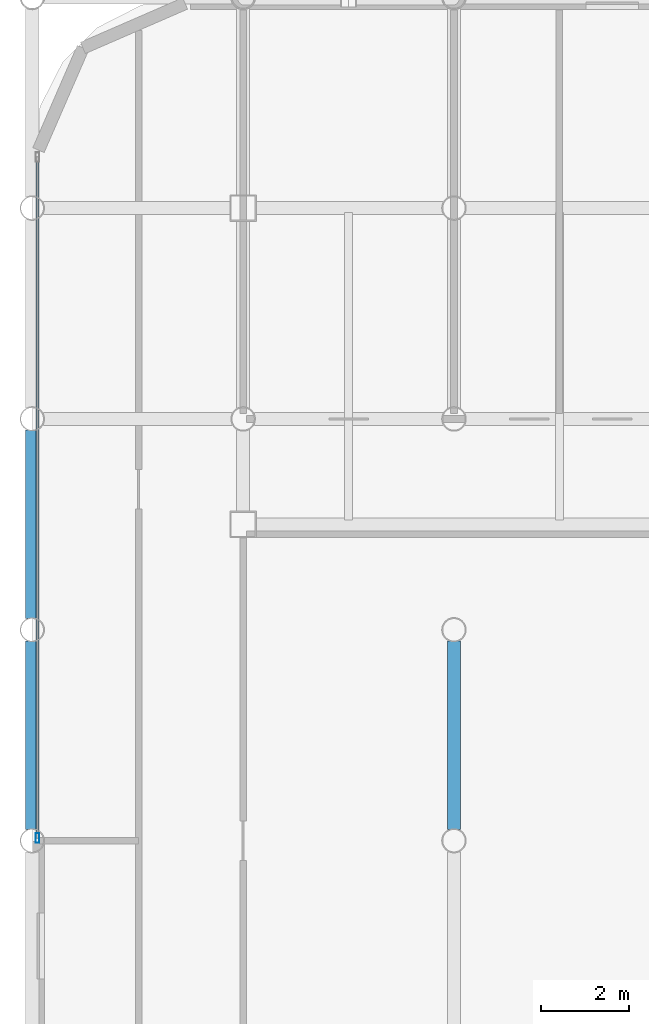
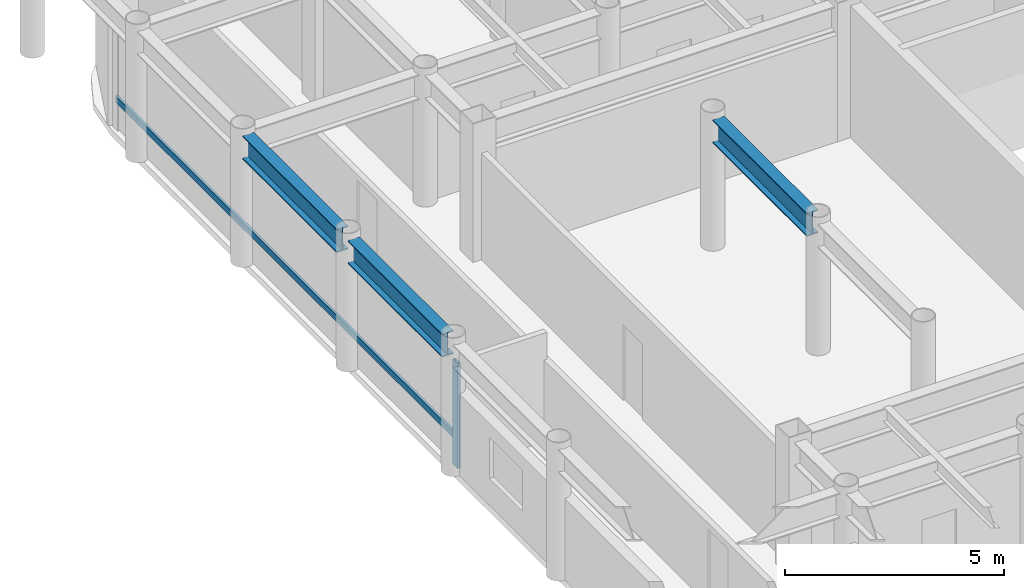
# One storey, part 6 of 22: 3 beams, 2 members, 1 element without a shape of its own.
"""IFC4 building model written with IfcOpenShell, lengths in metres."""

from ifc_helpers import new_model, si_unit, direction, frame, origin, origin_2d, place, context, subcontext, project, spatial, hollow_rectangle, i_section, extrude, material, layer, layer_set, material_profile, profile_set, type_object, element, aggregate, save


model = new_model("IFC4")

# Units and contexts
model_context = context("Model", 3, precision=1e-05, world=origin(), true_north=direction((0.0, 1.0)))
body_context = subcontext(model_context, "Body", "Model", "MODEL_VIEW")
ifc_project = project(units=[si_unit("LENGTHUNIT", "METRE"), si_unit("AREAUNIT", "SQUARE_METRE"), si_unit("VOLUMEUNIT", "CUBIC_METRE"), si_unit("PLANEANGLEUNIT", "RADIAN"), si_unit("MASSUNIT", "GRAM", prefix="KILO")], contexts=[model_context])

# Site, building, storey
site_placement = place(None, origin())
site = spatial("IfcSite", under=ifc_project, at=site_placement, CompositionType="ELEMENT")
building_placement = place(site_placement, origin())
building = spatial("IfcBuilding", under=site, at=building_placement, Name="Kallvorn Hotel Tower", CompositionType="ELEMENT")
storey_placement = place(building_placement, frame((0.0, 0.0, 206.89990234375)))
storey = spatial("IfcBuildingStorey", under=building, at=storey_placement, Name="L51", CompositionType="ELEMENT", Elevation=206.89990234375)

# Beams
ifc_material_1 = material(Name="Structural steel S355JR", Category="steel")
ifc_material_profile_1 = material_profile(ifc_material_1, i_section(OverallWidth=0.300048828125, OverallDepth=0.64990234375, WebThickness=0.01611328125, FlangeThickness=0.031005859375, at=origin_2d()), Name="HE 650 B")
ifc_profile_set_1 = profile_set([ifc_material_profile_1], Name="Structural steel S355JR")
beam_type = type_object("IfcBeamType", Name="BM_HE650B", PredefinedType="BEAM", material=ifc_profile_set_1)
for number, where, z_axis, x_axis, name in (
    (1, (-28.800048828125, 0.25439453125, 3.34521484375), (0.0, 1.0, 0.0), (-1.0, 0.0, 0.0), "L52 Primary Y-Girder 77"),
    (2, (-28.800048828125, 5.054443359375, 3.34521484375), (0.0, 1.0, 0.0), (-1.0, 0.0, 0.0), "L52 Primary Y-Girder 78"),
    (3, (-19.199951171875, 0.25439453125, 3.34521484375), (0.0, 1.0, 0.0), (-1.0, 0.0, 0.0), "L52 Primary Y-Girder 93"),
):
    element("IfcBeam", number, at=place(storey_placement, frame(where, z_axis=z_axis, x_axis=x_axis)), inside=storey, type_object=beam_type, Name=name, PredefinedType="BEAM", context=body_context, shape_type="SweptSolid", body=[
        extrude(i_section(OverallWidth=0.300048828125, OverallDepth=0.64990234375, WebThickness=0.01611328125, FlangeThickness=0.031005859375, at=origin_2d()), origin(), (0.0, 0.0, 1.0), 4.291015625),
    ])

# Curtain wall, members
ifc_material_2 = material(Name="Thermally broken black-anodised aluminium AA 6063-T6", Category="aluminium")
ifc_layer = layer(ifc_material_2, 0.22998046875)
ifc_layer_set = layer_set([ifc_layer], Name="CW_SYS_5_HOTEL_HIGH")
curtain_wall_type = type_object("IfcCurtainWallType", Name="CW_SYS_5_HOTEL_HIGH", PredefinedType="USERDEFINED", material=ifc_layer_set)
curtain_wall_placement = place(storey_placement, origin())
curtain_wall = element("IfcCurtainWall", 4, at=curtain_wall_placement, inside=storey, type_object=curtain_wall_type, Name="L51 Dark-Glass Curtain Wall CW-L51-WN", ObjectType="UNITISED CURTAIN WALL", PredefinedType="USERDEFINED")
ifc_material_3 = material(Name="Thermally broken black-anodised aluminium AA 6063-T6", Category="aluminium")
ifc_material_profile_2 = material_profile(ifc_material_3, hollow_rectangle(XDim=0.080078125, YDim=0.219970703125, WallThickness=0.0048828125, at=origin_2d()), Name="MUL 220x80")
ifc_profile_set_2 = profile_set([ifc_material_profile_2], Name="Thermally broken black-anodised aluminium AA 6063-T6")
member_type_1 = type_object("IfcMemberType", Name="CW_MULLION_220x80", PredefinedType="MULLION", material=ifc_profile_set_2)
member_1_placement = place(storey_placement, frame((-28.679931640625, 0.06005859375, 0.02001953125), z_axis=(0.0, 0.0, 1.0), x_axis=(1.0, 0.0, 0.0)))
member_1 = element("IfcMember", 5, at=member_1_placement, type_object=member_type_1, Name="CW-L51-WN Mullion 00", PredefinedType="MULLION", context=body_context, shape_type="SweptSolid", body=[
    extrude(hollow_rectangle(XDim=0.080078125, YDim=0.219970703125, WallThickness=0.0048828125, at=origin_2d()), origin(), (0.0, 0.0, 1.0), 2.93017578125),
])
ifc_material_4 = material(Name="Thermally broken black-anodised aluminium AA 6063-T6", Category="aluminium")
ifc_material_profile_3 = material_profile(ifc_material_4, hollow_rectangle(XDim=0.070068359375, YDim=0.179931640625, WallThickness=0.00390625, at=origin_2d()), Name="TRN 180x70")
ifc_profile_set_3 = profile_set([ifc_material_profile_3], Name="Thermally broken black-anodised aluminium AA 6063-T6")
member_type_2 = type_object("IfcMemberType", Name="CW_TRANSOM_180x70", PredefinedType="USERDEFINED", material=ifc_profile_set_3)
member_2_placement = place(storey_placement, frame((-28.679931640625, 0.06005859375, 0.85009765625), z_axis=(0.0, 1.0, 0.0), x_axis=(-1.0, 0.0, 0.0)))
member_2 = element("IfcMember", 6, at=member_2_placement, type_object=member_type_2, Name="CW-L51-WN Transom 00M", ObjectType="TRANSOM", PredefinedType="USERDEFINED", context=body_context, shape_type="SweptSolid", body=[
    extrude(hollow_rectangle(XDim=0.070068359375, YDim=0.179931640625, WallThickness=0.00390625, at=origin_2d()), origin(), (0.0, 0.0, 1.0), 15.5),
])
aggregate(curtain_wall, [member_1, member_2])

save(model, "model.ifc")
